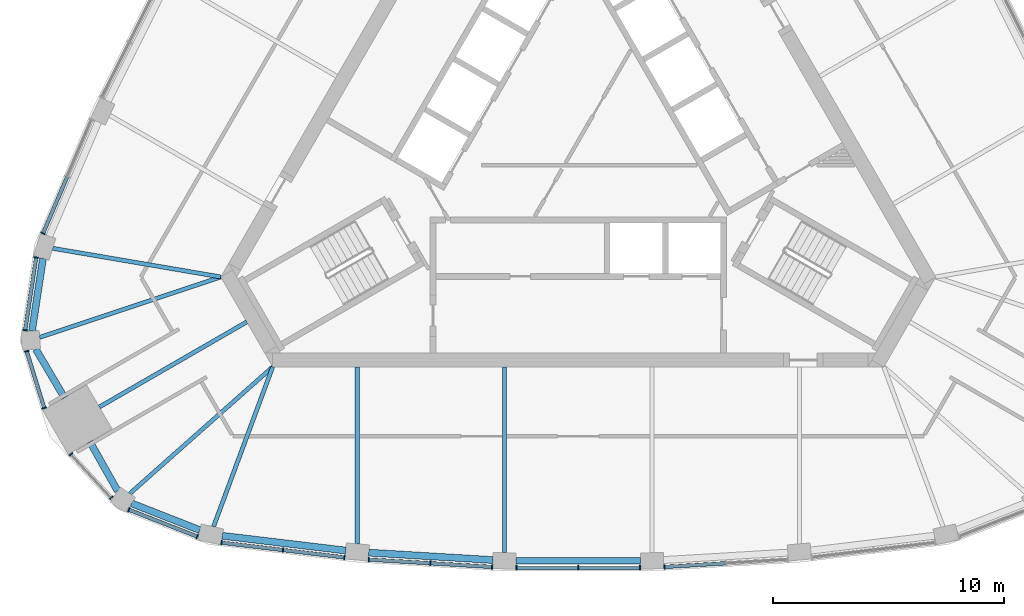
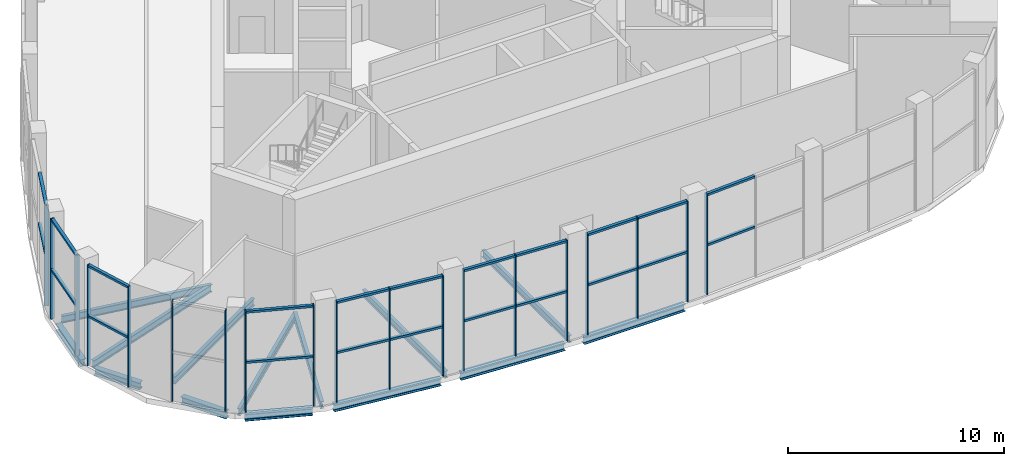
# One storey, part 2 of 15: 41 members, 14 beams, 3 elements without a shape of their own.
"""IFC4 building model written with IfcOpenShell, lengths in metres."""

from ifc_helpers import new_model, si_unit, direction, frame, origin, origin_2d, place, context, subcontext, project, spatial, rectangle, i_section, extrude, material, material_profile, profile_set, type_object, element, aggregate, save


model = new_model("IFC4")

# Units and contexts
model_context = context("Model", 3, precision=1e-05, world=origin(), true_north=direction((0.0, 1.0)))
body_context = subcontext(model_context, "Body", "Model", "MODEL_VIEW")
ifc_project = project(units=[si_unit("LENGTHUNIT", "METRE"), si_unit("AREAUNIT", "SQUARE_METRE"), si_unit("VOLUMEUNIT", "CUBIC_METRE"), si_unit("PLANEANGLEUNIT", "RADIAN"), si_unit("MASSUNIT", "GRAM", prefix="KILO")], contexts=[model_context])

# Site, building, storey
site_placement = place(None, origin())
site = spatial("IfcSite", under=ifc_project, at=site_placement, CompositionType="ELEMENT")
building_placement = place(site_placement, origin())
building = spatial("IfcBuilding", under=site, at=building_placement, Name="Mestral Congress Tower", CompositionType="ELEMENT")
storey_placement = place(building_placement, frame((0.0, 0.0, 321.60009765625)))
storey = spatial("IfcBuildingStorey", under=building, at=storey_placement, Name="L75", CompositionType="ELEMENT", Elevation=321.60009765625)

# Curtain wall, members
ifc_material_1 = material(Name="Clear low-emissivity double glazing", Category="glass")
curtain_wall_type = type_object("IfcCurtainWallType", Name="Facade lookout lounge curtain wall", PredefinedType="USERDEFINED", material=ifc_material_1)
placement = place(storey_placement, origin())
curtain_wall_1 = element("IfcCurtainWall", 1, at=placement, inside=storey, type_object=curtain_wall_type, Name="Facade lookout lounge curtain wall face 1", ObjectType="CURTAIN WALL", PredefinedType="USERDEFINED")
ifc_material_2 = material(Name="Anodised aluminium", Category="aluminium")
ifc_material_profile_1 = material_profile(ifc_material_2, rectangle(XDim=0.199951171875, YDim=0.050048828125, at=origin_2d()), Name="CW2 mullion 200 x 50")
ifc_profile_set_1 = profile_set([ifc_material_profile_1], Name="Anodised aluminium")
member_type_1 = type_object("IfcMemberType", Name="Facade lookout lounge curtain wall mullion", PredefinedType="MULLION", material=ifc_profile_set_1)
member_1_placement = place(storey_placement, frame((-15.467529296875, -17.87060546875, 0.0), z_axis=(0.0, 0.0, 1.0), x_axis=(-0.119057303137, -0.992887384636, 0.0)))
member_1 = element("IfcMember", 2, at=member_1_placement, type_object=member_type_1, Name="Facade lookout lounge curtain wall mullion", PredefinedType="MULLION", context=body_context, shape_type="SweptSolid", body=[
    extrude(rectangle(XDim=0.199951171875, YDim=0.050048828125, at=origin_2d()), origin(), (0.0, 0.0, 1.0), 5.699951171875),
])
member_2_placement = place(storey_placement, frame((-12.80419921875, -18.190185546875, 0.0), z_axis=(0.0, 0.0, 1.0), x_axis=(-0.119057303137, -0.992887384636, 0.0)))
member_2 = element("IfcMember", 3, at=member_2_placement, type_object=member_type_1, Name="Facade lookout lounge curtain wall mullion", PredefinedType="MULLION", context=body_context, shape_type="SweptSolid", body=[
    extrude(rectangle(XDim=0.199951171875, YDim=0.050048828125, at=origin_2d()), origin(), (0.0, 0.0, 1.0), 5.699951171875),
])
member_3_placement = place(storey_placement, frame((-10.140625, -18.509521484375, 0.0), z_axis=(0.0, 0.0, 1.0), x_axis=(-0.119057303137, -0.992887384636, 0.0)))
member_3 = element("IfcMember", 4, at=member_3_placement, type_object=member_type_1, Name="Facade lookout lounge curtain wall mullion", PredefinedType="MULLION", context=body_context, shape_type="SweptSolid", body=[
    extrude(rectangle(XDim=0.199951171875, YDim=0.050048828125, at=origin_2d()), origin(), (0.0, 0.0, 1.0), 5.699951171875),
])
member_4_placement = place(storey_placement, frame((-9.08447265625, -18.604248046875, 0.0), z_axis=(0.0, 0.0, 1.0), x_axis=(-0.05961823471, -0.998221251071, 0.0)))
member_4 = element("IfcMember", 5, at=member_4_placement, type_object=member_type_1, Name="Facade lookout lounge curtain wall mullion", PredefinedType="MULLION", context=body_context, shape_type="SweptSolid", body=[
    extrude(rectangle(XDim=0.199951171875, YDim=0.050048828125, at=origin_2d()), origin(), (0.0, 0.0, 1.0), 5.699951171875),
])
member_5_placement = place(storey_placement, frame((-6.411376953125, -18.763916015625, 0.0), z_axis=(0.0, 0.0, 1.0), x_axis=(-0.05961823471, -0.998221251071, 0.0)))
member_5 = element("IfcMember", 6, at=member_5_placement, type_object=member_type_1, Name="Facade lookout lounge curtain wall mullion", PredefinedType="MULLION", context=body_context, shape_type="SweptSolid", body=[
    extrude(rectangle(XDim=0.199951171875, YDim=0.050048828125, at=origin_2d()), origin(), (0.0, 0.0, 1.0), 5.699951171875),
])
member_6_placement = place(storey_placement, frame((-3.738037109375, -18.923583984375, 0.0), z_axis=(0.0, 0.0, 1.0), x_axis=(-0.05961823471, -0.998221251071, 0.0)))
member_6 = element("IfcMember", 7, at=member_6_placement, type_object=member_type_1, Name="Facade lookout lounge curtain wall mullion", PredefinedType="MULLION", context=body_context, shape_type="SweptSolid", body=[
    extrude(rectangle(XDim=0.199951171875, YDim=0.050048828125, at=origin_2d()), origin(), (0.0, 0.0, 1.0), 5.699951171875),
])
member_7_placement = place(storey_placement, frame((-2.677978515625, -18.955078125, 0.0), z_axis=(0.0, 0.0, 1.0), x_axis=(0.0, -1.0, 0.0)))
member_7 = element("IfcMember", 8, at=member_7_placement, type_object=member_type_1, Name="Facade lookout lounge curtain wall mullion", PredefinedType="MULLION", context=body_context, shape_type="SweptSolid", body=[
    extrude(rectangle(XDim=0.199951171875, YDim=0.050048828125, at=origin_2d()), origin(), (0.0, 0.0, 1.0), 5.699951171875),
])
member_8_placement = place(storey_placement, frame((0.0, -18.955078125, 0.0), z_axis=(0.0, 0.0, 1.0), x_axis=(0.0, -1.0, 0.0)))
member_8 = element("IfcMember", 9, at=member_8_placement, type_object=member_type_1, Name="Facade lookout lounge curtain wall mullion", PredefinedType="MULLION", context=body_context, shape_type="SweptSolid", body=[
    extrude(rectangle(XDim=0.199951171875, YDim=0.050048828125, at=origin_2d()), origin(), (0.0, 0.0, 1.0), 5.699951171875),
])
member_9_placement = place(storey_placement, frame((2.677978515625, -18.955078125, 0.0), z_axis=(0.0, 0.0, 1.0), x_axis=(0.0, -1.0, 0.0)))
member_9 = element("IfcMember", 10, at=member_9_placement, type_object=member_type_1, Name="Facade lookout lounge curtain wall mullion", PredefinedType="MULLION", context=body_context, shape_type="SweptSolid", body=[
    extrude(rectangle(XDim=0.199951171875, YDim=0.050048828125, at=origin_2d()), origin(), (0.0, 0.0, 1.0), 5.699951171875),
])
member_10_placement = place(storey_placement, frame((3.738037109375, -18.923583984375, 0.0), z_axis=(0.0, 0.0, 1.0), x_axis=(0.05961823471, -0.998221251071, 0.0)))
member_10 = element("IfcMember", 11, at=member_10_placement, type_object=member_type_1, Name="Facade lookout lounge curtain wall mullion", PredefinedType="MULLION", context=body_context, shape_type="SweptSolid", body=[
    extrude(rectangle(XDim=0.199951171875, YDim=0.050048828125, at=origin_2d()), origin(), (0.0, 0.0, 1.0), 5.699951171875),
])

# Curtain wall, member
curtain_wall_2 = element("IfcCurtainWall", 12, at=placement, inside=storey, type_object=curtain_wall_type, Name="Facade lookout lounge curtain wall face 3", ObjectType="CURTAIN WALL", PredefinedType="USERDEFINED")
member_11_placement = place(storey_placement, frame((-23.21044921875, -4.4599609375, 0.0), z_axis=(0.0, 0.0, 1.0), x_axis=(-0.919386111527, 0.39335629896, 0.0)))
member_11 = element("IfcMember", 13, at=member_11_placement, type_object=member_type_1, Name="Facade lookout lounge curtain wall mullion", PredefinedType="MULLION", context=body_context, shape_type="SweptSolid", body=[
    extrude(rectangle(XDim=0.199951171875, YDim=0.050048828125, at=origin_2d()), origin(), (0.0, 0.0, 1.0), 5.699951171875),
])

# Curtain wall, members
curtain_wall_3 = element("IfcCurtainWall", 14, at=placement, inside=storey, type_object=curtain_wall_type, Name="Facade lookout lounge curtain wall corner 3", ObjectType="CURTAIN WALL", PredefinedType="USERDEFINED")
member_12_placement = place(storey_placement, frame((-23.508544921875, -5.506103515625, 0.0), z_axis=(0.0, 0.0, 1.0), x_axis=(-0.988781943448, 0.149366222125, 0.0)))
member_12 = element("IfcMember", 15, at=member_12_placement, type_object=member_type_1, Name="Facade lookout lounge curtain wall mullion", PredefinedType="MULLION", context=body_context, shape_type="SweptSolid", body=[
    extrude(rectangle(XDim=0.199951171875, YDim=0.050048828125, at=origin_2d()), origin(), (0.0, 0.0, 1.0), 5.699951171875),
])
member_13_placement = place(storey_placement, frame((-23.984619140625, -8.656982421875, 0.0), z_axis=(0.0, 0.0, 1.0), x_axis=(-0.988781943448, 0.149366222125, 0.0)))
member_13 = element("IfcMember", 16, at=member_13_placement, type_object=member_type_1, Name="Facade lookout lounge curtain wall mullion", PredefinedType="MULLION", context=body_context, shape_type="SweptSolid", body=[
    extrude(rectangle(XDim=0.199951171875, YDim=0.050048828125, at=origin_2d()), origin(), (0.0, 0.0, 1.0), 5.699951171875),
])
member_14_placement = place(storey_placement, frame((-23.916259765625, -9.572265625, 0.0), z_axis=(0.0, 0.0, 1.0), x_axis=(-0.955601904007, -0.294660823758, 0.0)))
member_14 = element("IfcMember", 17, at=member_14_placement, type_object=member_type_1, Name="Facade lookout lounge curtain wall mullion", PredefinedType="MULLION", context=body_context, shape_type="SweptSolid", body=[
    extrude(rectangle(XDim=0.199951171875, YDim=0.050048828125, at=origin_2d()), origin(), (0.0, 0.0, 1.0), 5.699951171875),
])
member_15_placement = place(storey_placement, frame((-23.15673828125, -12.034912109375, 0.0), z_axis=(0.0, 0.0, 1.0), x_axis=(-0.955601904007, -0.294660823758, 0.0)))
member_15 = element("IfcMember", 18, at=member_15_placement, type_object=member_type_1, Name="Facade lookout lounge curtain wall mullion", PredefinedType="MULLION", context=body_context, shape_type="SweptSolid", body=[
    extrude(rectangle(XDim=0.199951171875, YDim=0.050048828125, at=origin_2d()), origin(), (0.0, 0.0, 1.0), 5.699951171875),
])
member_16_placement = place(storey_placement, frame((-22.0009765625, -14.037109375, 0.0), z_axis=(0.0, 0.0, 1.0), x_axis=(-0.732987085377, -0.680242554292, 0.0)))
member_16 = element("IfcMember", 19, at=member_16_placement, type_object=member_type_1, Name="Facade lookout lounge curtain wall mullion", PredefinedType="MULLION", context=body_context, shape_type="SweptSolid", body=[
    extrude(rectangle(XDim=0.199951171875, YDim=0.050048828125, at=origin_2d()), origin(), (0.0, 0.0, 1.0), 5.699951171875),
])
member_17_placement = place(storey_placement, frame((-20.248046875, -15.92578125, 0.0), z_axis=(0.0, 0.0, 1.0), x_axis=(-0.732987085377, -0.680242554292, 0.0)))
member_17 = element("IfcMember", 20, at=member_17_placement, type_object=member_type_1, Name="Facade lookout lounge curtain wall mullion", PredefinedType="MULLION", context=body_context, shape_type="SweptSolid", body=[
    extrude(rectangle(XDim=0.199951171875, YDim=0.050048828125, at=origin_2d()), origin(), (0.0, 0.0, 1.0), 5.699951171875),
])
member_18_placement = place(storey_placement, frame((-19.489501953125, -16.442626953125, 0.0), z_axis=(0.0, 0.0, 1.0), x_axis=(-0.365023029741, -0.930998489665, 0.0)))
member_18 = element("IfcMember", 21, at=member_18_placement, type_object=member_type_1, Name="Facade lookout lounge curtain wall mullion", PredefinedType="MULLION", context=body_context, shape_type="SweptSolid", body=[
    extrude(rectangle(XDim=0.199951171875, YDim=0.050048828125, at=origin_2d()), origin(), (0.0, 0.0, 1.0), 5.699951171875),
])
member_19_placement = place(storey_placement, frame((-16.522705078125, -17.60595703125, 0.0), z_axis=(0.0, 0.0, 1.0), x_axis=(-0.365023029741, -0.930998489665, 0.0)))
member_19 = element("IfcMember", 22, at=member_19_placement, type_object=member_type_1, Name="Facade lookout lounge curtain wall mullion", PredefinedType="MULLION", context=body_context, shape_type="SweptSolid", body=[
    extrude(rectangle(XDim=0.199951171875, YDim=0.050048828125, at=origin_2d()), origin(), (0.0, 0.0, 1.0), 5.699951171875),
])

# Member
ifc_material_profile_2 = material_profile(ifc_material_2, rectangle(XDim=0.159912109375, YDim=0.1201171875, at=origin_2d()), Name="CW2 transom 160 x 120")
ifc_profile_set_2 = profile_set([ifc_material_profile_2], Name="Anodised aluminium")
member_type_2 = type_object("IfcMemberType", Name="Facade lookout lounge curtain wall transom", PredefinedType="USERDEFINED", material=ifc_profile_set_2)
member_20_placement = place(storey_placement, frame((-15.44287109375, -17.873779296875, 2.7998046875), z_axis=(0.992895696249, -0.118987967335, 0.0), x_axis=(0.118987967335, 0.992895696249, 0.0)))
member_20 = element("IfcMember", 23, at=member_20_placement, type_object=member_type_2, Name="Facade lookout lounge curtain wall transom", ObjectType="TRANSOM", PredefinedType="USERDEFINED", context=body_context, shape_type="SweptSolid", body=[
    extrude(rectangle(XDim=0.159912109375, YDim=0.1201171875, at=origin_2d()), origin(), (0.0, 0.0, 1.0), 2.632568359375),
])

member_21_placement = place(storey_placement, frame((-15.44287109375, -17.873779296875, 5.639892578125), z_axis=(0.992895696249, -0.118987967335, 0.0), x_axis=(0.118987967335, 0.992895696249, 0.0)))
member_21 = element("IfcMember", 24, at=member_21_placement, type_object=member_type_2, Name="Facade lookout lounge curtain wall transom", ObjectType="TRANSOM", PredefinedType="USERDEFINED", context=body_context, shape_type="SweptSolid", body=[
    extrude(rectangle(XDim=0.159912109375, YDim=0.1201171875, at=origin_2d()), origin(), (0.0, 0.0, 1.0), 2.632568359375),
])

member_22_placement = place(storey_placement, frame((-12.779296875, -18.193115234375, 2.7998046875), z_axis=(0.992884735377, -0.119079394753, 0.0), x_axis=(0.119079394753, 0.992884735377, 0.0)))
member_22 = element("IfcMember", 25, at=member_22_placement, type_object=member_type_2, Name="Facade lookout lounge curtain wall transom", ObjectType="TRANSOM", PredefinedType="USERDEFINED", context=body_context, shape_type="SweptSolid", body=[
    extrude(rectangle(XDim=0.159912109375, YDim=0.1201171875, at=origin_2d()), origin(), (0.0, 0.0, 1.0), 2.632568359375),
])

member_23_placement = place(storey_placement, frame((-12.779296875, -18.193115234375, 5.639892578125), z_axis=(0.992884735377, -0.119079394753, 0.0), x_axis=(0.119079394753, 0.992884735377, 0.0)))
member_23 = element("IfcMember", 26, at=member_23_placement, type_object=member_type_2, Name="Facade lookout lounge curtain wall transom", ObjectType="TRANSOM", PredefinedType="USERDEFINED", context=body_context, shape_type="SweptSolid", body=[
    extrude(rectangle(XDim=0.159912109375, YDim=0.1201171875, at=origin_2d()), origin(), (0.0, 0.0, 1.0), 2.632568359375),
])

member_24_placement = place(storey_placement, frame((-9.0595703125, -18.605712890625, 2.7998046875), z_axis=(0.998219810131, -0.059642356268, 0.0), x_axis=(0.059642356268, 0.998219810131, 0.0)))
member_24 = element("IfcMember", 27, at=member_24_placement, type_object=member_type_2, Name="Facade lookout lounge curtain wall transom", ObjectType="TRANSOM", PredefinedType="USERDEFINED", context=body_context, shape_type="SweptSolid", body=[
    extrude(rectangle(XDim=0.159912109375, YDim=0.1201171875, at=origin_2d()), origin(), (0.0, 0.0, 1.0), 2.6279296875),
])

member_25_placement = place(storey_placement, frame((-9.0595703125, -18.605712890625, 5.639892578125), z_axis=(0.998219810131, -0.059642356268, 0.0), x_axis=(0.059642356268, 0.998219810131, 0.0)))
member_25 = element("IfcMember", 28, at=member_25_placement, type_object=member_type_2, Name="Facade lookout lounge curtain wall transom", ObjectType="TRANSOM", PredefinedType="USERDEFINED", context=body_context, shape_type="SweptSolid", body=[
    extrude(rectangle(XDim=0.159912109375, YDim=0.1201171875, at=origin_2d()), origin(), (0.0, 0.0, 1.0), 2.6279296875),
])

member_26_placement = place(storey_placement, frame((-6.38623046875, -18.765380859375, 2.7998046875), z_axis=(0.998219479617, -0.059647887743, 0.0), x_axis=(0.059647887743, 0.998219479617, 0.0)))
member_26 = element("IfcMember", 29, at=member_26_placement, type_object=member_type_2, Name="Facade lookout lounge curtain wall transom", ObjectType="TRANSOM", PredefinedType="USERDEFINED", context=body_context, shape_type="SweptSolid", body=[
    extrude(rectangle(XDim=0.159912109375, YDim=0.1201171875, at=origin_2d()), origin(), (0.0, 0.0, 1.0), 2.627685546875),
])

member_27_placement = place(storey_placement, frame((-6.38623046875, -18.765380859375, 5.639892578125), z_axis=(0.998219479617, -0.059647887743, 0.0), x_axis=(0.059647887743, 0.998219479617, 0.0)))
member_27 = element("IfcMember", 30, at=member_27_placement, type_object=member_type_2, Name="Facade lookout lounge curtain wall transom", ObjectType="TRANSOM", PredefinedType="USERDEFINED", context=body_context, shape_type="SweptSolid", body=[
    extrude(rectangle(XDim=0.159912109375, YDim=0.1201171875, at=origin_2d()), origin(), (0.0, 0.0, 1.0), 2.627685546875),
])

member_28_placement = place(storey_placement, frame((-2.653076171875, -18.955078125, 2.7998046875), z_axis=(1.0, 0.0, 0.0), x_axis=(0.0, 1.0, 0.0)))
member_28 = element("IfcMember", 31, at=member_28_placement, type_object=member_type_2, Name="Facade lookout lounge curtain wall transom", ObjectType="TRANSOM", PredefinedType="USERDEFINED", context=body_context, shape_type="SweptSolid", body=[
    extrude(rectangle(XDim=0.159912109375, YDim=0.1201171875, at=origin_2d()), origin(), (0.0, 0.0, 1.0), 2.628173828125),
])

member_29_placement = place(storey_placement, frame((-2.653076171875, -18.955078125, 5.639892578125), z_axis=(1.0, 0.0, 0.0), x_axis=(0.0, 1.0, 0.0)))
member_29 = element("IfcMember", 32, at=member_29_placement, type_object=member_type_2, Name="Facade lookout lounge curtain wall transom", ObjectType="TRANSOM", PredefinedType="USERDEFINED", context=body_context, shape_type="SweptSolid", body=[
    extrude(rectangle(XDim=0.159912109375, YDim=0.1201171875, at=origin_2d()), origin(), (0.0, 0.0, 1.0), 2.628173828125),
])

member_30_placement = place(storey_placement, frame((0.02490234375, -18.955078125, 2.7998046875), z_axis=(1.0, 0.0, 0.0), x_axis=(0.0, 1.0, 0.0)))
member_30 = element("IfcMember", 33, at=member_30_placement, type_object=member_type_2, Name="Facade lookout lounge curtain wall transom", ObjectType="TRANSOM", PredefinedType="USERDEFINED", context=body_context, shape_type="SweptSolid", body=[
    extrude(rectangle(XDim=0.159912109375, YDim=0.1201171875, at=origin_2d()), origin(), (0.0, 0.0, 1.0), 2.628173828125),
])

member_31_placement = place(storey_placement, frame((0.02490234375, -18.955078125, 5.639892578125), z_axis=(1.0, 0.0, 0.0), x_axis=(0.0, 1.0, 0.0)))
member_31 = element("IfcMember", 34, at=member_31_placement, type_object=member_type_2, Name="Facade lookout lounge curtain wall transom", ObjectType="TRANSOM", PredefinedType="USERDEFINED", context=body_context, shape_type="SweptSolid", body=[
    extrude(rectangle(XDim=0.159912109375, YDim=0.1201171875, at=origin_2d()), origin(), (0.0, 0.0, 1.0), 2.628173828125),
])

member_32_placement = place(storey_placement, frame((3.76318359375, -18.922119140625, 2.7998046875), z_axis=(0.998219479617, 0.059647887743, 0.0), x_axis=(-0.059647887743, 0.998219479617, 0.0)))
member_32 = element("IfcMember", 35, at=member_32_placement, type_object=member_type_2, Name="Facade lookout lounge curtain wall transom", ObjectType="TRANSOM", PredefinedType="USERDEFINED", context=body_context, shape_type="SweptSolid", body=[
    extrude(rectangle(XDim=0.159912109375, YDim=0.1201171875, at=origin_2d()), origin(), (0.0, 0.0, 1.0), 2.627685546875),
])

member_33_placement = place(storey_placement, frame((3.76318359375, -18.922119140625, 5.639892578125), z_axis=(0.998219479617, 0.059647887743, 0.0), x_axis=(-0.059647887743, 0.998219479617, 0.0)))
member_33 = element("IfcMember", 36, at=member_33_placement, type_object=member_type_2, Name="Facade lookout lounge curtain wall transom", ObjectType="TRANSOM", PredefinedType="USERDEFINED", context=body_context, shape_type="SweptSolid", body=[
    extrude(rectangle(XDim=0.159912109375, YDim=0.1201171875, at=origin_2d()), origin(), (0.0, 0.0, 1.0), 2.627685546875),
])

aggregate(curtain_wall_1, [member_1, member_2, member_3, member_20, member_21, member_22, member_23, member_4, member_5, member_6, member_24, member_25, member_26, member_27, member_7, member_8, member_9, member_28, member_29, member_30, member_31, member_10, member_32, member_33])

member_34_placement = place(storey_placement, frame((-22.1650390625, -2.0166015625, 2.7998046875), z_axis=(-0.393303619027, -0.919408648676, 0.0), x_axis=(0.919408648676, -0.393303619027, 0.0)))
member_34 = element("IfcMember", 37, at=member_34_placement, type_object=member_type_2, Name="Facade lookout lounge curtain wall transom", ObjectType="TRANSOM", PredefinedType="USERDEFINED", context=body_context, shape_type="SweptSolid", body=[
    extrude(rectangle(XDim=0.159912109375, YDim=0.1201171875, at=origin_2d()), origin(), (0.0, 0.0, 1.0), 2.632568359375),
])

member_35_placement = place(storey_placement, frame((-22.1650390625, -2.0166015625, 5.639892578125), z_axis=(-0.393303619027, -0.919408648676, 0.0), x_axis=(0.919408648676, -0.393303619027, 0.0)))
member_35 = element("IfcMember", 38, at=member_35_placement, type_object=member_type_2, Name="Facade lookout lounge curtain wall transom", ObjectType="TRANSOM", PredefinedType="USERDEFINED", context=body_context, shape_type="SweptSolid", body=[
    extrude(rectangle(XDim=0.159912109375, YDim=0.1201171875, at=origin_2d()), origin(), (0.0, 0.0, 1.0), 2.632568359375),
])

aggregate(curtain_wall_2, [member_11, member_34, member_35])

member_36_placement = place(storey_placement, frame((-23.51220703125, -5.53076171875, 2.7998046875), z_axis=(-0.149360378112, -0.988782826231, 0.0), x_axis=(0.988782826231, -0.149360378112, 0.0)))
member_36 = element("IfcMember", 39, at=member_36_placement, type_object=member_type_2, Name="Facade lookout lounge curtain wall transom", ObjectType="TRANSOM", PredefinedType="USERDEFINED", context=body_context, shape_type="SweptSolid", body=[
    extrude(rectangle(XDim=0.159912109375, YDim=0.1201171875, at=origin_2d()), origin(), (0.0, 0.0, 1.0), 3.13671875),
])

member_37_placement = place(storey_placement, frame((-23.51220703125, -5.53076171875, 5.639892578125), z_axis=(-0.149360378112, -0.988782826231, 0.0), x_axis=(0.988782826231, -0.149360378112, 0.0)))
member_37 = element("IfcMember", 40, at=member_37_placement, type_object=member_type_2, Name="Facade lookout lounge curtain wall transom", ObjectType="TRANSOM", PredefinedType="USERDEFINED", context=body_context, shape_type="SweptSolid", body=[
    extrude(rectangle(XDim=0.159912109375, YDim=0.1201171875, at=origin_2d()), origin(), (0.0, 0.0, 1.0), 3.13671875),
])

member_38_placement = place(storey_placement, frame((-23.90869140625, -9.59619140625, 2.7998046875), z_axis=(0.294581421985, -0.955626384013, 0.0), x_axis=(0.955626384013, 0.294581421985, 0.0)))
member_38 = element("IfcMember", 41, at=member_38_placement, type_object=member_type_2, Name="Facade lookout lounge curtain wall transom", ObjectType="TRANSOM", PredefinedType="USERDEFINED", context=body_context, shape_type="SweptSolid", body=[
    extrude(rectangle(XDim=0.159912109375, YDim=0.1201171875, at=origin_2d()), origin(), (0.0, 0.0, 1.0), 2.52685546875),
])

member_39_placement = place(storey_placement, frame((-23.90869140625, -9.59619140625, 5.639892578125), z_axis=(0.294581421985, -0.955626384013, 0.0), x_axis=(0.955626384013, 0.294581421985, 0.0)))
member_39 = element("IfcMember", 42, at=member_39_placement, type_object=member_type_2, Name="Facade lookout lounge curtain wall transom", ObjectType="TRANSOM", PredefinedType="USERDEFINED", context=body_context, shape_type="SweptSolid", body=[
    extrude(rectangle(XDim=0.159912109375, YDim=0.1201171875, at=origin_2d()), origin(), (0.0, 0.0, 1.0), 2.52685546875),
])

member_40_placement = place(storey_placement, frame((-19.46630859375, -16.451904296875, 2.7998046875), z_axis=(0.931025578273, -0.364953932162, 0.0), x_axis=(0.364953932162, 0.931025578273, 0.0)))
member_40 = element("IfcMember", 43, at=member_40_placement, type_object=member_type_2, Name="Facade lookout lounge curtain wall transom", ObjectType="TRANSOM", PredefinedType="USERDEFINED", context=body_context, shape_type="SweptSolid", body=[
    extrude(rectangle(XDim=0.159912109375, YDim=0.1201171875, at=origin_2d()), origin(), (0.0, 0.0, 1.0), 3.13671875),
])

member_41_placement = place(storey_placement, frame((-19.46630859375, -16.451904296875, 5.639892578125), z_axis=(0.931025578273, -0.364953932162, 0.0), x_axis=(0.364953932162, 0.931025578273, 0.0)))
member_41 = element("IfcMember", 44, at=member_41_placement, type_object=member_type_2, Name="Facade lookout lounge curtain wall transom", ObjectType="TRANSOM", PredefinedType="USERDEFINED", context=body_context, shape_type="SweptSolid", body=[
    extrude(rectangle(XDim=0.159912109375, YDim=0.1201171875, at=origin_2d()), origin(), (0.0, 0.0, 1.0), 3.13671875),
])

aggregate(curtain_wall_3, [member_12, member_13, member_36, member_37, member_14, member_15, member_38, member_39, member_16, member_17, member_18, member_19, member_40, member_41])

# Beams
ifc_material_3 = material(Name="Steel S355", Category="steel")
ifc_material_profile_3 = material_profile(ifc_material_3, i_section(OverallWidth=0.179931640625, OverallDepth=0.39990234375, WebThickness=0.008544921875, FlangeThickness=0.013427734375, FilletRadius=0.02099609375, at=origin_2d()), Name="IPE 400")
ifc_profile_set_3 = profile_set([ifc_material_profile_3], Name="Steel S355")
beam_type_1 = type_object("IfcBeamType", Name="Floor beam IPE 400 S355", PredefinedType="BEAM", material=ifc_profile_set_3)
beam_1_placement = place(storey_placement, frame((-15.81787109375, -17.1806640625, -0.5), z_axis=(0.347399345496, 0.937717278687, 0.0), x_axis=(-0.937717278687, 0.347399345496, 0.0)))
element("IfcBeam", 45, at=beam_1_placement, inside=storey, type_object=beam_type_1, Name="BM-L75-RB5-S00", PredefinedType="BEAM", context=body_context, shape_type="SweptSolid", body=[
    extrude(i_section(OverallWidth=0.179931640625, OverallDepth=0.39990234375, WebThickness=0.008544921875, FlangeThickness=0.013427734375, FilletRadius=0.02099609375, at=origin_2d()), origin(), (0.0, 0.0, 1.0), 7.39111328125),
])
beam_2_placement = place(storey_placement, frame((-9.587158203125, -17.92236328125, -0.5), z_axis=(0.0, 1.0, 0.0), x_axis=(-1.0, 0.0, 0.0)))
element("IfcBeam", 46, at=beam_2_placement, inside=storey, type_object=beam_type_1, Name="BM-L75-RB5-S01", PredefinedType="BEAM", context=body_context, shape_type="SweptSolid", body=[
    extrude(i_section(OverallWidth=0.179931640625, OverallDepth=0.39990234375, WebThickness=0.008544921875, FlangeThickness=0.013427734375, FilletRadius=0.02099609375, at=origin_2d()), origin(), (0.0, 0.0, 1.0), 7.67236328125),
])
beam_3_placement = place(storey_placement, frame((-3.199462890625, -18.304931640625, -0.5), z_axis=(0.0, 1.0, 0.0), x_axis=(-1.0, 0.0, 0.0)))
element("IfcBeam", 47, at=beam_3_placement, inside=storey, type_object=beam_type_1, Name="BM-L75-RB5-S02", PredefinedType="BEAM", context=body_context, shape_type="SweptSolid", body=[
    extrude(i_section(OverallWidth=0.179931640625, OverallDepth=0.39990234375, WebThickness=0.008544921875, FlangeThickness=0.013427734375, FilletRadius=0.02099609375, at=origin_2d()), origin(), (0.0, 0.0, 1.0), 8.054931640625),
])
beam_4_placement = place(storey_placement, frame((-22.787841796875, -5.1083984375, -0.5), z_axis=(0.985786503242, -0.168002886958, 0.0), x_axis=(0.168002886958, 0.985786503242, 0.0)))
element("IfcBeam", 48, at=beam_4_placement, inside=storey, type_object=beam_type_1, Name="BM-L75-RB5-W05", PredefinedType="BEAM", context=body_context, shape_type="SweptSolid", body=[
    extrude(i_section(OverallWidth=0.179931640625, OverallDepth=0.39990234375, WebThickness=0.008544921875, FlangeThickness=0.013427734375, FilletRadius=0.02099609375, at=origin_2d()), origin(), (0.0, 0.0, 1.0), 7.390869140625),
])
beam_5_placement = place(storey_placement, frame((-23.356689453125, -8.968994140625, -0.5), z_axis=(0.948659706446, 0.316298532031, 0.0), x_axis=(-0.316298532031, 0.948659706446, 0.0)))
element("IfcBeam", 49, at=beam_5_placement, inside=storey, type_object=beam_type_1, Name="BM-L75-RB5-SW1", PredefinedType="BEAM", context=body_context, shape_type="SweptSolid", body=[
    extrude(i_section(OverallWidth=0.179931640625, OverallDepth=0.39990234375, WebThickness=0.008544921875, FlangeThickness=0.013427734375, FilletRadius=0.02099609375, at=origin_2d()), origin(), (0.0, 0.0, 1.0), 8.27978515625),
])
beam_6_placement = place(storey_placement, frame((-20.765625, -11.989013671875, -0.5), z_axis=(0.866031296205, 0.499989793889, 0.0), x_axis=(-0.499989793889, 0.866031296205, 0.0)))
element("IfcBeam", 50, at=beam_6_placement, inside=storey, type_object=beam_type_1, Name="BM-L75-RB5-SW", PredefinedType="BEAM", context=body_context, shape_type="SweptSolid", body=[
    extrude(i_section(OverallWidth=0.179931640625, OverallDepth=0.39990234375, WebThickness=0.008544921875, FlangeThickness=0.013427734375, FilletRadius=0.02099609375, at=origin_2d()), origin(), (0.0, 0.0, 1.0), 7.378173828125),
])
beam_7_placement = place(storey_placement, frame((-19.44580078125, -15.742919921875, -0.5), z_axis=(0.74826277439, 0.663402457383, 0.0), x_axis=(-0.663402457383, 0.74826277439, 0.0)))
element("IfcBeam", 51, at=beam_7_placement, inside=storey, type_object=beam_type_1, Name="BM-L75-RB5-SW3", PredefinedType="BEAM", context=body_context, shape_type="SweptSolid", body=[
    extrude(i_section(OverallWidth=0.179931640625, OverallDepth=0.39990234375, WebThickness=0.008544921875, FlangeThickness=0.013427734375, FilletRadius=0.02099609375, at=origin_2d()), origin(), (0.0, 0.0, 1.0), 8.280029296875),
])
ifc_material_profile_4 = material_profile(ifc_material_3, i_section(OverallWidth=0.300048828125, OverallDepth=0.389892578125, WebThickness=0.010986328125, FlangeThickness=0.01904296875, FilletRadius=0.027099609375, at=origin_2d()), Name="HEA 400")
ifc_profile_set_4 = profile_set([ifc_material_profile_4], Name="Steel S355")
beam_type_2 = type_object("IfcBeamType", Name="Spandrel beam HEA 400 S355", PredefinedType="BEAM", material=ifc_profile_set_4)
beam_8_placement = place(storey_placement, frame((-15.44189453125, -17.57177734375, -0.4951171875), z_axis=(0.992890319222, -0.119032827389, 0.0), x_axis=(0.119032827389, 0.992890319222, 0.0)))
element("IfcBeam", 52, at=beam_8_placement, inside=storey, type_object=beam_type_2, Name="SP-L75-SB5-S00", PredefinedType="BEAM", context=body_context, shape_type="SweptSolid", body=[
    extrude(i_section(OverallWidth=0.300048828125, OverallDepth=0.389892578125, WebThickness=0.010986328125, FlangeThickness=0.01904296875, FilletRadius=0.027099609375, at=origin_2d()), origin(), (0.0, 0.0, 1.0), 5.396240234375),
])
beam_9_placement = place(storey_placement, frame((-9.087890625, -18.303466796875, -0.4951171875), z_axis=(0.998219522722, -0.059647166371, 0.0), x_axis=(0.059647166371, 0.998219522722, 0.0)))
element("IfcBeam", 53, at=beam_9_placement, inside=storey, type_object=beam_type_2, Name="SP-L75-SB5-S01", PredefinedType="BEAM", context=body_context, shape_type="SweptSolid", body=[
    extrude(i_section(OverallWidth=0.300048828125, OverallDepth=0.389892578125, WebThickness=0.010986328125, FlangeThickness=0.01904296875, FilletRadius=0.027099609375, at=origin_2d()), origin(), (0.0, 0.0, 1.0), 5.398681640625),
])
beam_10_placement = place(storey_placement, frame((-2.69921875, -18.6552734375, -0.4951171875), z_axis=(1.0, 0.0, 0.0), x_axis=(0.0, 1.0, 0.0)))
element("IfcBeam", 54, at=beam_10_placement, inside=storey, type_object=beam_type_2, Name="SP-L75-SB5-S02", PredefinedType="BEAM", context=body_context, shape_type="SweptSolid", body=[
    extrude(i_section(OverallWidth=0.300048828125, OverallDepth=0.389892578125, WebThickness=0.010986328125, FlangeThickness=0.01904296875, FilletRadius=0.027099609375, at=origin_2d()), origin(), (0.0, 0.0, 1.0), 5.3984375),
])
beam_11_placement = place(storey_placement, frame((-23.211669921875, -5.549560546875, -0.4951171875), z_axis=(-0.149402818736, -0.98877641444, 0.0), x_axis=(0.98877641444, -0.149402818736, 0.0)))
element("IfcBeam", 55, at=beam_11_placement, inside=storey, type_object=beam_type_2, Name="SP-L75-SB5-W05", PredefinedType="BEAM", context=body_context, shape_type="SweptSolid", body=[
    extrude(i_section(OverallWidth=0.300048828125, OverallDepth=0.389892578125, WebThickness=0.010986328125, FlangeThickness=0.01904296875, FilletRadius=0.027099609375, at=origin_2d()), origin(), (0.0, 0.0, 1.0), 3.179931640625),
])
beam_12_placement = place(storey_placement, frame((-23.521240234375, -9.483642578125, -0.4951171875), z_axis=(0.508218412694, -0.861228218882, 0.0), x_axis=(0.861228218882, 0.508218412694, 0.0)))
element("IfcBeam", 56, at=beam_12_placement, inside=storey, type_object=beam_type_2, Name="SP-L75-SB5-SW1", PredefinedType="BEAM", context=body_context, shape_type="SweptSolid", body=[
    extrude(i_section(OverallWidth=0.300048828125, OverallDepth=0.389892578125, WebThickness=0.010986328125, FlangeThickness=0.01904296875, FilletRadius=0.027099609375, at=origin_2d()), origin(), (0.0, 0.0, 1.0), 2.447509765625),
])
beam_13_placement = place(storey_placement, frame((-21.17724609375, -13.496826171875, -0.4951171875), z_axis=(0.491728558518, -0.870748542771, 0.0), x_axis=(0.870748542771, 0.491728558518, 0.0)))
element("IfcBeam", 57, at=beam_13_placement, inside=storey, type_object=beam_type_2, Name="SP-L75-SB5-SW", PredefinedType="BEAM", context=body_context, shape_type="SweptSolid", body=[
    extrude(i_section(OverallWidth=0.300048828125, OverallDepth=0.389892578125, WebThickness=0.010986328125, FlangeThickness=0.01904296875, FilletRadius=0.027099609375, at=origin_2d()), origin(), (0.0, 0.0, 1.0), 2.44775390625),
])
beam_14_placement = place(storey_placement, frame((-19.372314453125, -16.166259765625, -0.4951171875), z_axis=(0.930980873283, -0.365067957485, 0.0), x_axis=(0.365067957485, 0.930980873283, 0.0)))
element("IfcBeam", 58, at=beam_14_placement, inside=storey, type_object=beam_type_2, Name="SP-L75-SB5-SW3", PredefinedType="BEAM", context=body_context, shape_type="SweptSolid", body=[
    extrude(i_section(OverallWidth=0.300048828125, OverallDepth=0.389892578125, WebThickness=0.010986328125, FlangeThickness=0.01904296875, FilletRadius=0.027099609375, at=origin_2d()), origin(), (0.0, 0.0, 1.0), 3.179931640625),
])

save(model, "model.ifc")
